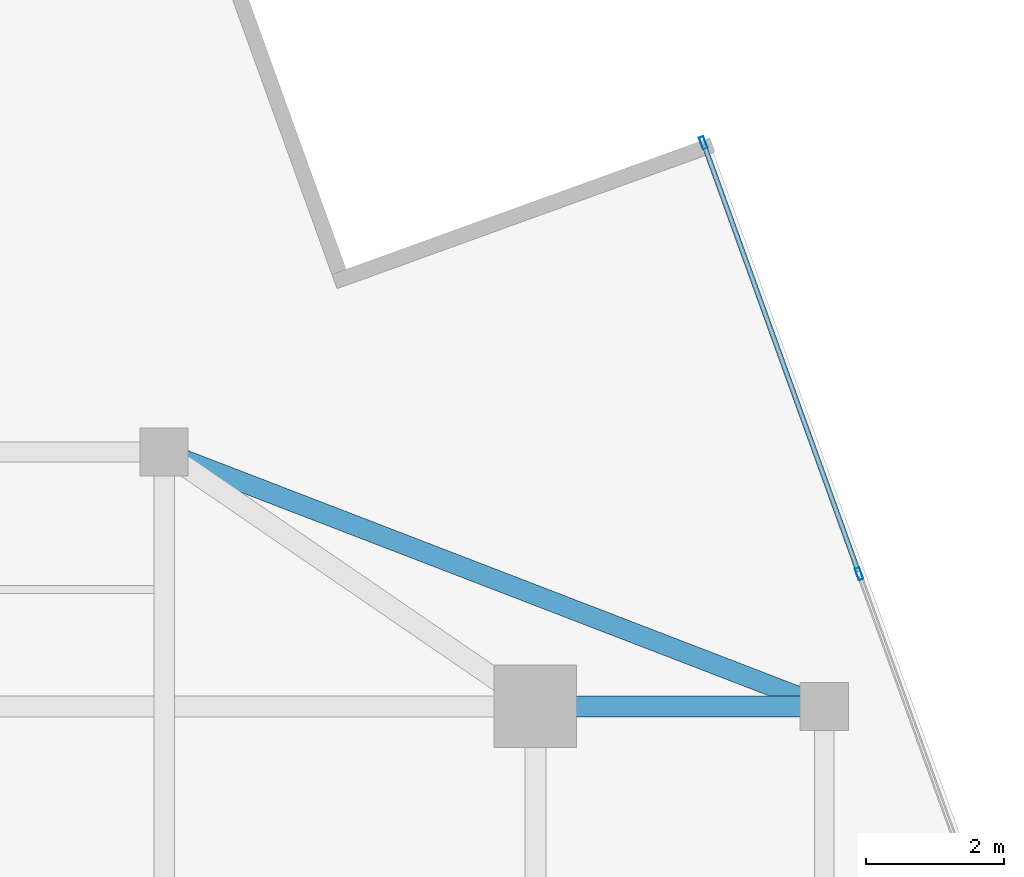
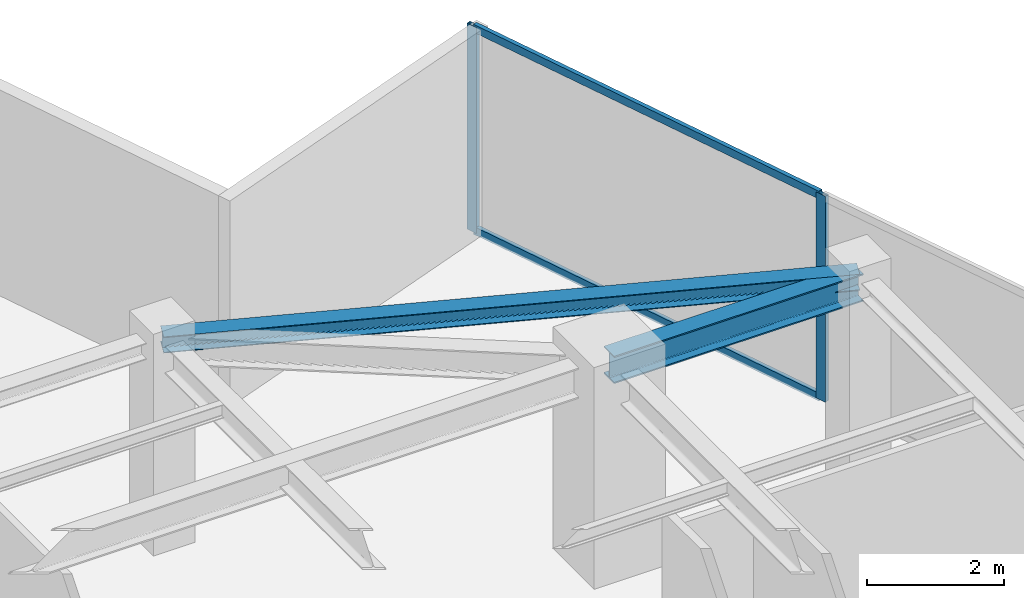
# One storey, part 16 of 21: 4 members, 2 beams, 1 element without a shape of its own.
"""IFC4 building model written with IfcOpenShell, lengths in metres."""

from ifc_helpers import new_model, si_unit, direction, frame, origin, origin_2d, place, context, subcontext, project, spatial, hollow_rectangle, i_section, extrude, source, transform, mapped, material, material_profile, profile_set, type_object, type_shapes, element, aggregate, save


model = new_model("IFC4")

# Units and contexts
model_context = context("Model", 3, precision=1e-05, world=origin(), true_north=direction((0.0, 1.0)))
body_context = subcontext(model_context, "Body", "Model", "MODEL_VIEW")
ifc_project = project(units=[si_unit("LENGTHUNIT", "METRE"), si_unit("AREAUNIT", "SQUARE_METRE"), si_unit("VOLUMEUNIT", "CUBIC_METRE"), si_unit("PLANEANGLEUNIT", "RADIAN"), si_unit("MASSUNIT", "GRAM", prefix="KILO")], contexts=[model_context])

# Site, building, storey
site_placement = place(None, origin())
site = spatial("IfcSite", under=ifc_project, at=site_placement, CompositionType="ELEMENT")
building_placement = place(site_placement, origin())
building = spatial("IfcBuilding", under=site, at=building_placement, Name="Krantzveldt Concourse Tower", CompositionType="ELEMENT")
storey_placement = place(building_placement, frame((0.0, 0.0, 335.60009765625)))
storey = spatial("IfcBuildingStorey", under=building, at=storey_placement, Name="L82", CompositionType="ELEMENT", Elevation=335.60009765625)

# Beams
ifc_material_1 = material(Name="Steel S355JR", Category="steel")
ifc_material_profile_1 = material_profile(ifc_material_1, i_section(OverallWidth=0.300048828125, OverallDepth=0.489990234375, WebThickness=0.011962890625, FlangeThickness=0.02294921875, FilletRadius=0.027099609375, at=origin_2d()), Name="Steel S355JR", Category="steel")
ifc_profile_set_1 = profile_set([ifc_material_profile_1], Name="Steel S355JR - HEA 500")
beam_type_1 = type_object("IfcBeamType", Name="BM-B-HEA500", PredefinedType="BEAM", material=ifc_profile_set_1)
shared_shape_1 = source(origin(), body_context, "Body", "SweptSolid", [
    extrude(i_section(OverallWidth=0.300048828125, OverallDepth=0.489990234375, WebThickness=0.011962890625, FlangeThickness=0.02294921875, FilletRadius=0.027099609375, at=origin_2d()), origin(), (0.0, 0.0, 1.0), 4.199951171875),
])
type_shapes(beam_type_1, [shared_shape_1])
beam_1_placement = place(storey_placement, frame((46.800048828125, 37.5, 3.4248046875), z_axis=(1.0, 0.0, 0.0), x_axis=(0.0, 1.0, 0.0)))
element("IfcBeam", 1, at=beam_1_placement, inside=storey, type_object=beam_type_1, Name="L82 Tower Girder BR-RR3", PredefinedType="BEAM", context=body_context, shape_type="MappedRepresentation", body=[
    mapped(shared_shape_1, transform((0.0, 0.0, 0.0), x_axis=(1.0, 0.0, 0.0), y_axis=(0.0, 1.0, 0.0), z_axis=(0.0, 0.0, 1.0), scale=1.0)),
])
ifc_material_profile_2 = material_profile(ifc_material_1, i_section(OverallWidth=0.2900390625, OverallDepth=0.2900390625, WebThickness=0.008544921875, FlangeThickness=0.013916015625, FilletRadius=0.027099609375, at=origin_2d()), Name="Steel S355JR", Category="steel")
ifc_profile_set_2 = profile_set([ifc_material_profile_2], Name="Steel S355JR - HEA 300")
beam_type_2 = type_object("IfcBeamType", Name="BM-SP-HEA300", PredefinedType="SPANDREL", material=ifc_profile_set_2)
shared_shape_2 = source(origin(), body_context, "Body", "SweptSolid", [
    extrude(i_section(OverallWidth=0.2900390625, OverallDepth=0.2900390625, WebThickness=0.008544921875, FlangeThickness=0.013916015625, FilletRadius=0.027099609375, at=origin_2d()), origin(), (0.0, 0.0, 1.0), 10.288330078125),
])
type_shapes(beam_type_2, [shared_shape_2])
beam_2_placement = place(storey_placement, frame((41.39990234375, 41.199951171875, 3.52490234375), z_axis=(0.933097690408, -0.359622997257, 0.0), x_axis=(0.359622997257, 0.933097690408, 0.0)))
element("IfcBeam", 2, at=beam_2_placement, inside=storey, type_object=beam_type_2, Name="L82 Tower Girder SP-R05", PredefinedType="SPANDREL", context=body_context, shape_type="MappedRepresentation", body=[
    mapped(shared_shape_2, transform((0.0, 0.0, 0.0), x_axis=(1.0, 0.0, 0.0), y_axis=(0.0, 1.0, 0.0), z_axis=(0.0, 0.0, 1.0), scale=1.0)),
])

# Curtain wall, members
ifc_material_2 = material(Name="Anodised aluminium 6063-T6", Category="aluminium")
curtain_wall_type = type_object("IfcCurtainWallType", Name="CW4", PredefinedType="USERDEFINED", material=ifc_material_2)
curtain_wall_placement = place(storey_placement, origin())
curtain_wall = element("IfcCurtainWall", 3, at=curtain_wall_placement, inside=storey, type_object=curtain_wall_type, Name="CW-L82-F10", ObjectType="UNITISED CURTAIN WALL", PredefinedType="USERDEFINED")
ifc_material_profile_3 = material_profile(ifc_material_2, hollow_rectangle(XDim=0.070068359375, YDim=0.179931640625, WallThickness=0.0048828125, at=origin_2d()), Name="Anodised aluminium 6063-T6", Category="aluminium")
ifc_profile_set_3 = profile_set([ifc_material_profile_3], Name="Anodised aluminium 6063-T6 - ALU-MULL 180x70x5")
member_type_1 = type_object("IfcMemberType", Name="CW-MUL-180", PredefinedType="MULLION", material=ifc_profile_set_3)
shared_shape_3 = source(origin(), body_context, "Body", "SweptSolid", [
    extrude(hollow_rectangle(XDim=0.070068359375, YDim=0.179931640625, WallThickness=0.0048828125, at=origin_2d()), origin(), (0.0, 0.0, 1.0), 3.669921875),
])
type_shapes(member_type_1, [shared_shape_3])
member_1_placement = place(storey_placement, frame((51.505859375, 39.4296875, 0.0), z_axis=(0.0, 0.0, 1.0), x_axis=(-0.940436624478, -0.339969050563, 0.0)))
member_1 = element("IfcMember", 4, at=member_1_placement, type_object=member_type_1, Name="CW-Z56 mullion 4", PredefinedType="MULLION", context=body_context, shape_type="MappedRepresentation", body=[
    mapped(shared_shape_3, transform((0.0, 0.0, 0.0), x_axis=(1.0, 0.0, 0.0), y_axis=(0.0, 1.0, 0.0), z_axis=(0.0, 0.0, 1.0), scale=1.0)),
])
member_2_placement = place(storey_placement, frame((49.239990234375, 45.69775390625, 0.0), z_axis=(0.0, 0.0, 1.0), x_axis=(-0.940436624478, -0.339969050563, 0.0)))
member_2 = element("IfcMember", 5, at=member_2_placement, type_object=member_type_1, Name="CW-Z56 mullion 5", PredefinedType="MULLION", context=body_context, shape_type="MappedRepresentation", body=[
    mapped(shared_shape_3, transform((0.0, 0.0, 0.0), x_axis=(1.0, 0.0, 0.0), y_axis=(0.0, 1.0, 0.0), z_axis=(0.0, 0.0, 1.0), scale=1.0)),
])
ifc_material_profile_4 = material_profile(ifc_material_2, hollow_rectangle(XDim=0.070068359375, YDim=0.139892578125, WallThickness=0.0048828125, at=origin_2d()), Name="Anodised aluminium 6063-T6", Category="aluminium")
ifc_profile_set_4 = profile_set([ifc_material_profile_4], Name="Anodised aluminium 6063-T6 - ALU-TRAN 140x70x5")
member_type_2 = type_object("IfcMemberType", Name="CW-TRN-150", PredefinedType="USERDEFINED", material=ifc_profile_set_4)
shared_shape_4 = source(origin(), body_context, "Body", "SweptSolid", [
    extrude(hollow_rectangle(XDim=0.070068359375, YDim=0.139892578125, WallThickness=0.0048828125, at=origin_2d()), origin(), (0.0, 0.0, 1.0), 6.594970703125),
])
type_shapes(member_type_2, [shared_shape_4])
member_3_placement = place(storey_placement, frame((51.493896484375, 39.462646484375, 0.034912109375), z_axis=(-0.339950103124, 0.940443473785, 0.0), x_axis=(-0.940443473785, -0.339950103124, 0.0)))
member_3 = element("IfcMember", 6, at=member_3_placement, type_object=member_type_2, Name="CW-Z56 transom 4.1", ObjectType="TRANSOM", PredefinedType="USERDEFINED", context=body_context, shape_type="MappedRepresentation", body=[
    mapped(shared_shape_4, transform((0.0, 0.0, 0.0), x_axis=(1.0, 0.0, 0.0), y_axis=(0.0, 1.0, 0.0), z_axis=(0.0, 0.0, 1.0), scale=1.0)),
])
member_4_placement = place(storey_placement, frame((51.493896484375, 39.462646484375, 3.635009765625), z_axis=(-0.339950103124, 0.940443473785, 0.0), x_axis=(-0.940443473785, -0.339950103124, 0.0)))
member_4 = element("IfcMember", 7, at=member_4_placement, type_object=member_type_2, Name="CW-Z56 transom 4.2", ObjectType="TRANSOM", PredefinedType="USERDEFINED", context=body_context, shape_type="MappedRepresentation", body=[
    mapped(shared_shape_4, transform((0.0, 0.0, 0.0), x_axis=(1.0, 0.0, 0.0), y_axis=(0.0, 1.0, 0.0), z_axis=(0.0, 0.0, 1.0), scale=1.0)),
])
aggregate(curtain_wall, [member_1, member_2, member_3, member_4])

save(model, "model.ifc")
